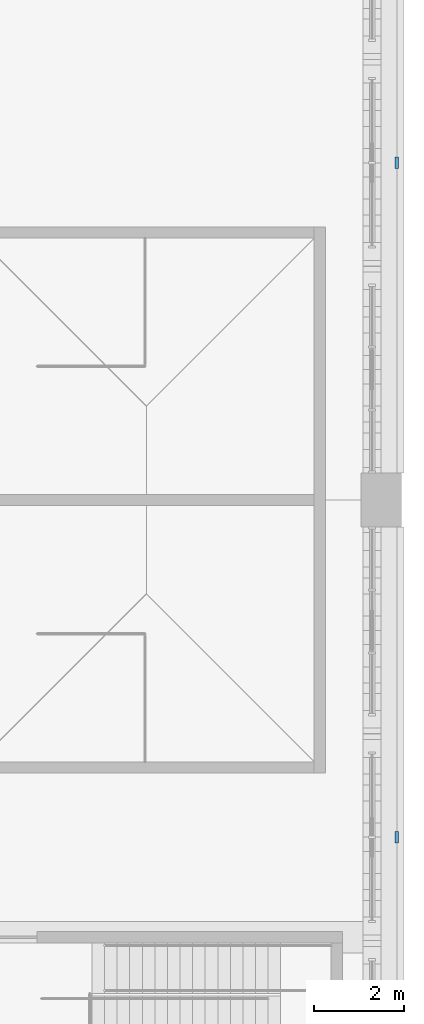
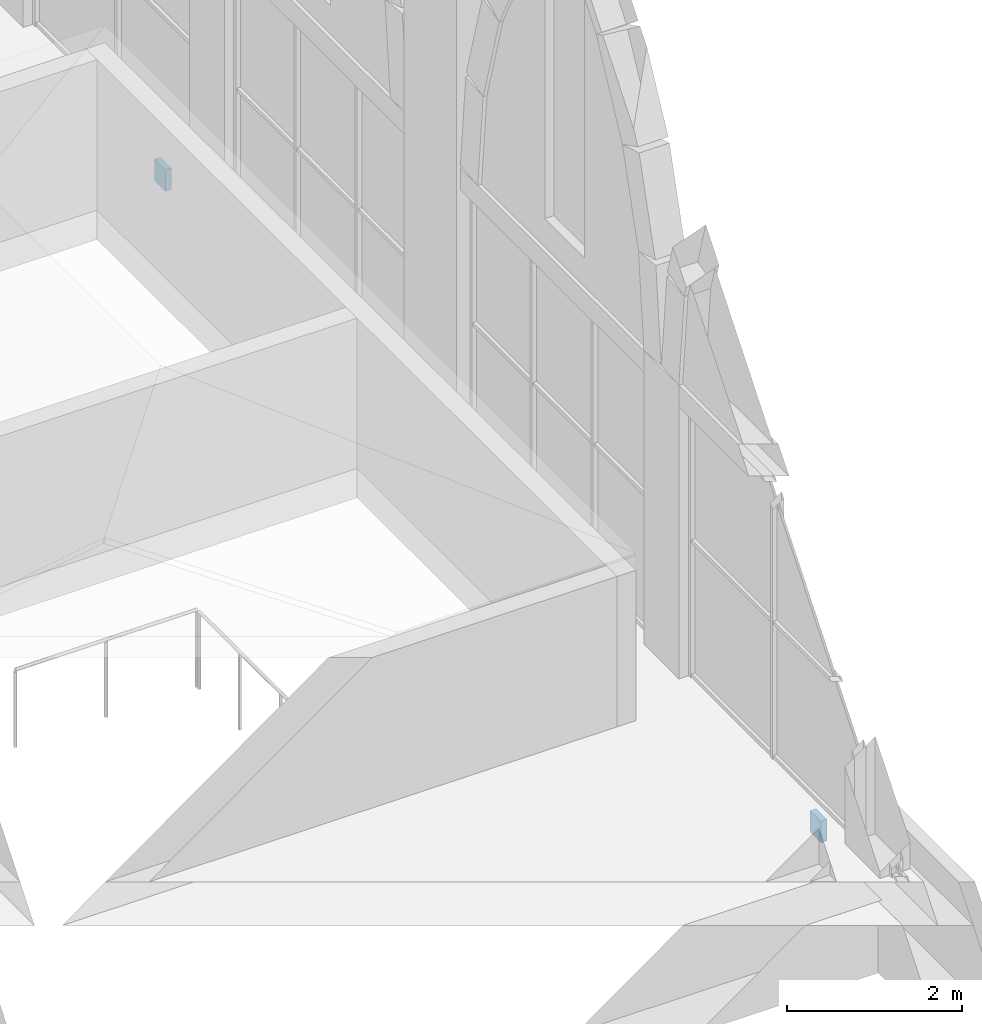
# One storey, part 95 of 130: 2 discrete accessories.
"""IFC4 building model written with IfcOpenShell, lengths in metres."""

from ifc_helpers import new_model, si_unit, direction, frame, origin, origin_2d, place, context, subcontext, project, spatial, rectangle, extrude, material, layer, layer_set, type_object, element, save


model = new_model("IFC4")

# Units and contexts
model_context = context("Model", 3, precision=1e-05, world=origin(), true_north=direction((0.0, 1.0)))
body_context = subcontext(model_context, "Body", "Model", "MODEL_VIEW")
ifc_project = project(units=[si_unit("LENGTHUNIT", "METRE"), si_unit("AREAUNIT", "SQUARE_METRE"), si_unit("VOLUMEUNIT", "CUBIC_METRE"), si_unit("PLANEANGLEUNIT", "RADIAN"), si_unit("MASSUNIT", "GRAM", prefix="KILO")], contexts=[model_context])

# Site, building, storey
site_placement = place(None, origin())
site = spatial("IfcSite", under=ifc_project, at=site_placement, CompositionType="ELEMENT")
building_placement = place(site_placement, origin())
building = spatial("IfcBuilding", under=site, at=building_placement, Name="Ogive Plaza Stadium", CompositionType="ELEMENT")
storey_placement = place(building_placement, frame((0.0, 0.0, 22.5)))
storey = spatial("IfcBuildingStorey", under=building, at=storey_placement, Name="L05", CompositionType="ELEMENT", Elevation=22.5)

# Discrete accessories
ifc_material = material(Name="Steel ASTM A572 Grade 50", Category="steel")
ifc_layer = layer(ifc_material, 0.080078125)
ifc_layer_set = layer_set([ifc_layer], Name="Steel ASTM A572 Grade 50")
discrete_accessory_type = type_object("IfcDiscreteAccessoryType", Name="Spandrel cladding bracket 250x300", PredefinedType="BRACKET", material=ifc_layer_set)
for number, where, z_axis, x_axis, name in (
    (1, (84.35009765625, 15.0, -1.31005859375), (0.0, 0.0, 1.0), (0.0, -1.0, 0.0), "SPANDREL BRACKET B03 L05"),
    (2, (84.35009765625, 0.0, -1.31005859375), (0.0, 0.0, 1.0), (0.0, -1.0, 0.0), "SPANDREL BRACKET B04 L05"),
):
    element("IfcDiscreteAccessory", number, at=place(storey_placement, frame(where, z_axis=z_axis, x_axis=x_axis)), inside=storey, type_object=discrete_accessory_type, Name=name, PredefinedType="BRACKET", context=body_context, shape_type="SweptSolid", body=[
        extrude(rectangle(XDim=0.25, YDim=0.080078125, at=origin_2d()), origin(), (0.0, 0.0, 1.0), 0.300048828125),
    ])

save(model, "model.ifc")
